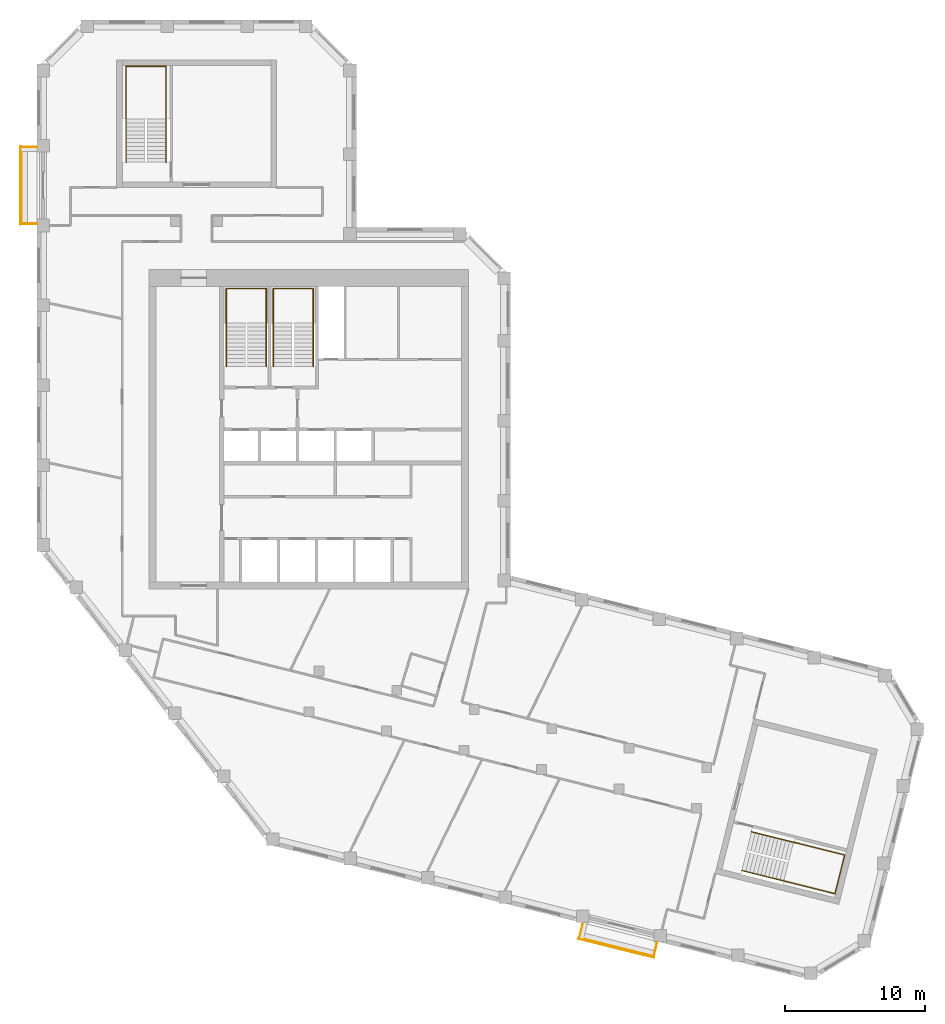
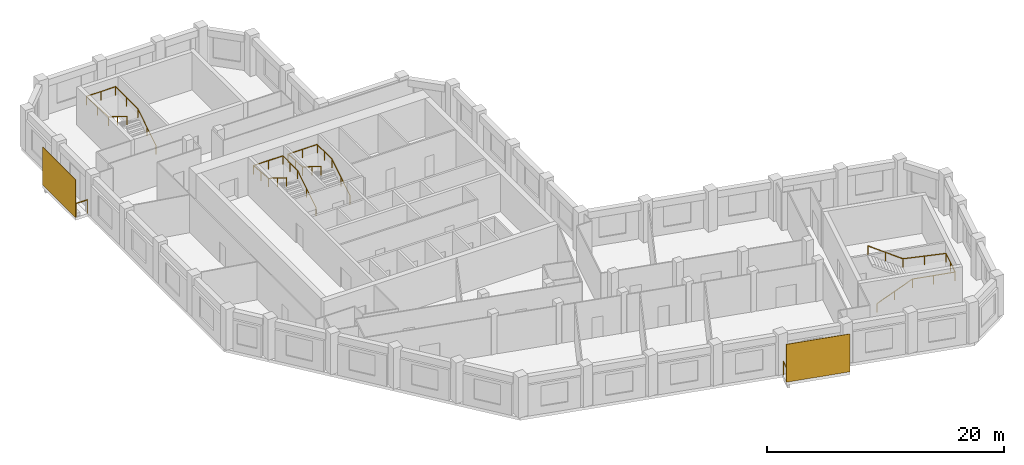
# One storey, part 8 of 8: 6 railings, 2 shading devices.
"""IFC4 building model written with IfcOpenShell, lengths in metres."""

import ifcopenshell
import ifcopenshell.guid

model = None  # the IFC model being written
_history = None  # IfcOwnerHistory: only IFC2X3 demands one
_inside = {}  # id of a spatial element -> (the spatial element, [elements in it])
_under = {}  # id of a project, library or spatial element -> (it, [spatial elements below it])
_declared = {}  # id of a project -> (the project, [libraries it declares])
_typed = {}  # id of a type object -> (the type object, [elements of that type])
_made_of = {}  # id of a material, layer set ... -> (it, [elements and type objects made of it])


def new_model(schema):
    """Start an empty IFC model of exactly this schema.

    Asked for "IFC4X3", IfcOpenShell would pick the latest addendum, in which some entities
    have other attributes; the version numbers below select the first issue.
    IFC2X3 requires an IfcOwnerHistory on every rooted entity: one is made here for all.
    """
    global model, _history
    if schema == "IFC4X3":
        model = ifcopenshell.file(schema_version=(4, 3, 0, 0))
    else:
        model = ifcopenshell.file(schema=schema)
    _inside.clear()
    _under.clear()
    _declared.clear()
    _typed.clear()
    _made_of.clear()
    _history = None
    if model.schema == "IFC2X3":
        org = make("IfcOrganization", Name="unknown")
        user = make(
            "IfcPersonAndOrganization",
            ThePerson=make("IfcPerson", FamilyName="unknown"),
            TheOrganization=org,
        )
        app = make(
            "IfcApplication",
            ApplicationDeveloper=org,
            Version="unknown",
            ApplicationFullName="unknown",
            ApplicationIdentifier="unknown",
        )
        _history = make(
            "IfcOwnerHistory",
            OwningUser=user,
            OwningApplication=app,
            ChangeAction="ADDED",
            CreationDate=0,
        )
    return model


def make(cls, **values):
    """One entity of the class cls with the attributes given. An attribute that is None is left unset."""
    return model.create_entity(
        cls, **{name: value for name, value in values.items() if value is not None}
    )


def rooted(cls, **values):
    """An entity with a GlobalId (a new one), such as an element, a storey or a relation."""
    return make(cls, GlobalId=ifcopenshell.guid.new(), OwnerHistory=_history, **values)


def si_unit(unit_type, name, prefix=None):
    """IfcSIUnit, for example si_unit("LENGTHUNIT", "METRE", prefix="MILLI")."""
    return make("IfcSIUnit", UnitType=unit_type, Prefix=prefix, Name=name)


def assignment(units):
    """IfcUnitAssignment: the units of a project."""
    return None if units is None else make("IfcUnitAssignment", Units=units)


def point(xyz):
    """IfcCartesianPoint."""
    return None if xyz is None else make("IfcCartesianPoint", Coordinates=xyz)


def direction(xyz):
    """IfcDirection."""
    return None if xyz is None else make("IfcDirection", DirectionRatios=xyz)


def frame(location, z_axis=None, x_axis=None):
    """IfcAxis2Placement3D, a coordinate frame: its origin and axes. An axis left out is left unset."""
    return make(
        "IfcAxis2Placement3D",
        Location=point(location),
        Axis=direction(z_axis),
        RefDirection=direction(x_axis),
    )


def frame_2d(location, x_axis=None):
    """IfcAxis2Placement2D, a coordinate frame in the plane: its origin and x axis."""
    return make(
        "IfcAxis2Placement2D", Location=point(location), RefDirection=direction(x_axis)
    )


def origin():
    """The frame at (0, 0, 0) with its axes left unset."""
    return frame((0.0, 0.0, 0.0))


def origin_2d():
    """The frame at (0, 0) in the plane with its x axis left unset."""
    return frame_2d((0.0, 0.0))


def place(relative_to, where):
    """IfcLocalPlacement: puts the frame where relative to a parent placement (None: the world)."""
    return make(
        "IfcLocalPlacement", PlacementRelTo=relative_to, RelativePlacement=where
    )


def context(
    kind, dimensions, precision=None, world=None, true_north=None, identifier=None
):
    """IfcGeometricRepresentationContext, for example the 3D "Model" context."""
    return make(
        "IfcGeometricRepresentationContext",
        ContextIdentifier=identifier,
        ContextType=kind,
        CoordinateSpaceDimension=dimensions,
        Precision=precision,
        WorldCoordinateSystem=world,
        TrueNorth=true_north,
    )


def subcontext(parent, identifier, kind, view, scale=None):
    """IfcGeometricRepresentationSubContext, for example "Body" below "Model"."""
    return make(
        "IfcGeometricRepresentationSubContext",
        ContextIdentifier=identifier,
        ContextType=kind,
        ParentContext=parent,
        TargetScale=scale,
        TargetView=view,
    )


def project(units=None, contexts=None):
    """IfcProject with its units and contexts."""
    return rooted(
        "IfcProject",
        Name="project",
        RepresentationContexts=contexts,
        UnitsInContext=assignment(units),
    )


def spatial(cls, under=None, at=None, **own):
    """A site, building, storey or space (cls), placed at a placement, below another one or the project."""
    s = rooted(cls, ObjectPlacement=at, **own)
    if under is not None:
        _under.setdefault(under.id(), (under, []))[1].append(s)
    return s


def profile(cls, at=None, kind="AREA", **sizes):
    """A parametric profile (cls). Its sizes go by their IFC names, for example OverallWidth=200.0."""
    return make(cls, ProfileType=kind, Position=at, **sizes)


def rectangle(**sizes):
    """IfcRectangleProfileDef."""
    return profile("IfcRectangleProfileDef", **sizes)


def circle(**sizes):
    """IfcCircleProfileDef."""
    return profile("IfcCircleProfileDef", **sizes)


def extrude(swept, where, along, depth):
    """IfcExtrudedAreaSolid: the profile swept, set in the frame where, extruded along a direction by depth."""
    return make(
        "IfcExtrudedAreaSolid",
        SweptArea=swept,
        Position=where,
        ExtrudedDirection=direction(along),
        Depth=depth,
    )


def shape(context_of_items, identifier, shape_type, items):
    """IfcShapeRepresentation: the items that make up one representation, for example the "Body"."""
    return make(
        "IfcShapeRepresentation",
        ContextOfItems=context_of_items,
        RepresentationIdentifier=identifier,
        RepresentationType=shape_type,
        Items=items,
    )


def material(Name=None, Category=None):
    """IfcMaterial."""
    return make("IfcMaterial", Name=Name, Category=Category)


def layer(
    of_material, thickness, ventilated=None, Name=None, Category=None, Priority=None
):
    """IfcMaterialLayer: one layer of a wall or slab, of a material (None: an air gap)."""
    return make(
        "IfcMaterialLayer",
        Material=of_material,
        LayerThickness=thickness,
        IsVentilated=ventilated,
        Name=Name,
        Category=Category,
        Priority=Priority,
    )


def layer_set(layers, Name=None):
    """IfcMaterialLayerSet."""
    return make("IfcMaterialLayerSet", MaterialLayers=layers, LayerSetName=Name)


def made_of(thing, what):
    """Note that an element or type object is made of a material, layer set ...; save() writes the relation."""
    if what is not None:
        _made_of.setdefault(what.id(), (what, []))[1].append(thing)
    return thing


def type_object(cls, material=None, **own):
    """A type object (cls), such as IfcWallType, which elements share."""
    return made_of(rooted(cls, **own), material)


def element(
    cls,
    number,
    at=None,
    inside=None,
    cuts=None,
    type_object=None,
    material=None,
    context=None,
    identifier="Body",
    shape_type=None,
    held_by="IfcProductDefinitionShape",
    body=None,
    shapes=None,
    **own,
):
    """One element of the class cls, such as IfcWall. Its Tag is "e" and its number.

    at: its placement. inside: the storey or other place that contains it. cuts: it is an
    opening in that element (IfcRelVoidsElement). A single representation is given by context,
    identifier, shape_type and body (its items); several are given by shapes. held_by: the class
    of the entity that holds the representations. save() writes the other relations.
    """
    e = rooted(cls, Tag="e%d" % number, ObjectPlacement=at, **own)
    if body is not None:
        shapes = [shape(context, identifier, shape_type, body)]
    if shapes is not None:
        e.Representation = make(held_by, Representations=shapes)
    if inside is not None:
        _inside.setdefault(inside.id(), (inside, []))[1].append(e)
    if cuts is not None:
        rooted(
            "IfcRelVoidsElement", RelatingBuildingElement=cuts, RelatedOpeningElement=e
        )
    if type_object is not None:
        _typed.setdefault(type_object.id(), (type_object, []))[1].append(e)
    return made_of(e, material)


def aggregate(whole, parts):
    """IfcRelAggregates: a whole, such as a stair, and the parts it consists of."""
    return rooted("IfcRelAggregates", RelatingObject=whole, RelatedObjects=parts)


def save(model, path):
    """Write the relations noted so far, then the file.

    IfcRelAggregates (storeys below a building ...), IfcRelContainedInSpatialStructure (elements
    in a storey), IfcRelDefinesByType, IfcRelAssociatesMaterial and IfcRelDeclares: one each for
    every whole, place, type object, material and project.
    """
    for whole, parts in _under.values():
        aggregate(whole, parts)
    for where, things in _inside.values():
        rooted(
            "IfcRelContainedInSpatialStructure",
            RelatedElements=things,
            RelatingStructure=where,
        )
    for kind, things in _typed.values():
        rooted("IfcRelDefinesByType", RelatedObjects=things, RelatingType=kind)
    for what, things in _made_of.values():
        rooted("IfcRelAssociatesMaterial", RelatedObjects=things, RelatingMaterial=what)
    for by, libraries in _declared.values():
        rooted("IfcRelDeclares", RelatingContext=by, RelatedDefinitions=libraries)
    model.write(path)


model = new_model("IFC4")

# Units and contexts
model_context = context("Model", 3, precision=1e-05, world=origin(), true_north=direction((0.0, 1.0)))
body_context = subcontext(model_context, "Body", "Model", "MODEL_VIEW")
ifc_project = project(units=[si_unit("LENGTHUNIT", "METRE"), si_unit("AREAUNIT", "SQUARE_METRE"), si_unit("VOLUMEUNIT", "CUBIC_METRE"), si_unit("PLANEANGLEUNIT", "RADIAN"), si_unit("MASSUNIT", "GRAM", prefix="KILO")], contexts=[model_context])

# Site, building, storey
site_placement = place(None, origin())
site = spatial("IfcSite", under=ifc_project, at=site_placement, CompositionType="ELEMENT")
building_placement = place(site_placement, origin())
building = spatial("IfcBuilding", under=site, at=building_placement, Name="Meshkara Civic Tower", CompositionType="ELEMENT")
storey_placement = place(building_placement, frame((0.0, 0.0, 375.0)))
storey = spatial("IfcBuildingStorey", under=building, at=storey_placement, Name="L86", CompositionType="ELEMENT", Elevation=375.0)

# Railings
ifc_material_1 = material(Name="Steel S355", Category="steel")
railing_type_1 = type_object("IfcRailingType", Name="BALUSTRADE GUARD 1400", PredefinedType="BALUSTRADE", material=ifc_material_1)
railing_1_placement = place(storey_placement, frame((0.0, 45.635009765625, 0.0)))
element("IfcRailing", 1, at=railing_1_placement, inside=storey, type_object=railing_type_1, Name="Balcony guard", PredefinedType="BALUSTRADE", context=body_context, shape_type="SweptSolid", body=[
    extrude(circle(Radius=0.02392578125, at=origin_2d()), frame((0.0, 0.0, 1.3759765625), z_axis=(-1.0, 0.0, 0.0), x_axis=(0.0, -1.0, 0.0)), (0.0, 0.0, 1.0), 1.110107421875),
    extrude(circle(Radius=0.02392578125, at=origin_2d()), frame((-1.110107421875, 0.0, 1.3759765625), z_axis=(0.0, -1.0, 0.0), x_axis=(1.0, 0.0, 0.0)), (0.0, 0.0, 1.0), 5.4599609375),
    extrude(circle(Radius=0.02392578125, at=origin_2d()), frame((-1.110107421875, -5.4599609375, 1.3759765625), z_axis=(1.0, 0.0, 0.0), x_axis=(0.0, 1.0, 0.0)), (0.0, 0.0, 1.0), 1.110107421875),
    extrude(circle(Radius=0.02099609375, at=origin_2d()), origin(), (0.0, 0.0, 1.0), 1.351806640625),
    extrude(circle(Radius=0.02099609375, at=origin_2d()), frame((-1.110107421875, 0.0, 0.0)), (0.0, 0.0, 1.0), 1.351806640625),
    extrude(circle(Radius=0.02099609375, at=origin_2d()), frame((-1.110107421875, -1.092041015625, 0.0)), (0.0, 0.0, 1.0), 1.351806640625),
    extrude(circle(Radius=0.02099609375, at=origin_2d()), frame((-1.110107421875, -2.18408203125, 0.0)), (0.0, 0.0, 1.0), 1.351806640625),
    extrude(circle(Radius=0.02099609375, at=origin_2d()), frame((-1.110107421875, -3.27587890625, 0.0)), (0.0, 0.0, 1.0), 1.351806640625),
    extrude(circle(Radius=0.02099609375, at=origin_2d()), frame((-1.110107421875, -4.367919921875, 0.0)), (0.0, 0.0, 1.0), 1.351806640625),
    extrude(circle(Radius=0.02099609375, at=origin_2d()), frame((-1.110107421875, -5.4599609375, 0.0)), (0.0, 0.0, 1.0), 1.351806640625),
    extrude(circle(Radius=0.02099609375, at=origin_2d()), frame((0.0, -5.4599609375, 0.0)), (0.0, 0.0, 1.0), 1.351806640625),
])
railing_2_placement = place(storey_placement, frame((38.958984375, -9.81201171875, 0.0)))
element("IfcRailing", 2, at=railing_2_placement, inside=storey, type_object=railing_type_1, Name="Balcony guard", PredefinedType="BALUSTRADE", context=body_context, shape_type="SweptSolid", body=[
    extrude(circle(Radius=0.02392578125, at=origin_2d()), frame((0.0, 0.0, 1.3759765625), z_axis=(-0.242365897307, -0.970184916303, 0.0), x_axis=(0.970184916303, -0.242365897307, 0.0)), (0.0, 0.0, 1.0), 1.015380859375),
    extrude(circle(Radius=0.02392578125, at=origin_2d()), frame((-0.24609375, -0.985107421875, 1.3759765625), z_axis=(0.970334237753, -0.241767382094, 0.0), x_axis=(0.241767382094, 0.970334237753, 0.0)), (0.0, 0.0, 1.0), 5.458984375),
    extrude(circle(Radius=0.02392578125, at=origin_2d()), frame((5.051025390625, -2.304931640625, 1.3759765625), z_axis=(0.242648904851, 0.970114173164, 0.0), x_axis=(-0.970114173164, 0.242648904851, 0.0)), (0.0, 0.0, 1.0), 1.01416015625),
    extrude(circle(Radius=0.02099609375, at=origin_2d()), origin(), (0.0, 0.0, 1.0), 1.351806640625),
    extrude(circle(Radius=0.02099609375, at=origin_2d()), frame((-0.24609375, -0.985107421875, 0.0)), (0.0, 0.0, 1.0), 1.351806640625),
    extrude(circle(Radius=0.02099609375, at=origin_2d()), frame((0.813232421875, -1.2490234375, 0.0)), (0.0, 0.0, 1.0), 1.351806640625),
    extrude(circle(Radius=0.02099609375, at=origin_2d()), frame((1.872802734375, -1.512939453125, 0.0)), (0.0, 0.0, 1.0), 1.351806640625),
    extrude(circle(Radius=0.02099609375, at=origin_2d()), frame((2.93212890625, -1.777099609375, 0.0)), (0.0, 0.0, 1.0), 1.351806640625),
    extrude(circle(Radius=0.02099609375, at=origin_2d()), frame((3.99169921875, -2.041015625, 0.0)), (0.0, 0.0, 1.0), 1.351806640625),
    extrude(circle(Radius=0.02099609375, at=origin_2d()), frame((5.051025390625, -2.304931640625, 0.0)), (0.0, 0.0, 1.0), 1.351806640625),
    extrude(circle(Radius=0.02099609375, at=origin_2d()), frame((5.297119140625, -1.321044921875, 0.0)), (0.0, 0.0, 1.0), 1.351806640625),
])

# Shading devices
ifc_material_2 = material(Name="Perforated bronze anodised aluminium sheet", Category="aluminium")
ifc_layer = layer(ifc_material_2, 0.0400390625)
ifc_layer_set = layer_set([ifc_layer], Name="PERFORATED BRONZE SCREEN")
shading_device_type = type_object("IfcShadingDeviceType", Name="PERFORATED BRONZE SCREEN", PredefinedType="USERDEFINED", material=ifc_layer_set)
shading_device_1_placement = place(storey_placement, frame((-1.179931640625, 42.905029296875, 0.0), z_axis=(0.0, 0.0, 1.0), x_axis=(0.0, -1.0, 0.0)))
element("IfcShadingDevice", 3, at=shading_device_1_placement, inside=storey, type_object=shading_device_type, Name="Balcony screen", ObjectType="SCREEN", PredefinedType="USERDEFINED", context=body_context, shape_type="SweptSolid", body=[
    extrude(rectangle(XDim=5.580078125, YDim=0.0400390625, at=origin_2d()), origin(), (0.0, 0.0, 1.0), 3.89990234375),
])
shading_device_2_placement = place(storey_placement, frame((41.344970703125, -11.52490234375, 0.0), z_axis=(0.0, 0.0, 1.0), x_axis=(0.970295726276, -0.2419218956, 0.0)))
element("IfcShadingDevice", 4, at=shading_device_2_placement, inside=storey, type_object=shading_device_type, Name="Balcony screen", ObjectType="SCREEN", PredefinedType="USERDEFINED", context=body_context, shape_type="SweptSolid", body=[
    extrude(rectangle(XDim=5.5791015625, YDim=0.0400390625, at=origin_2d()), origin(), (0.0, 0.0, 1.0), 3.89990234375),
])

# Railings
ifc_material_3 = material(Name="Steel handrail", Category="steel")
railing_type_2 = type_object("IfcRailingType", Name="Stair handrail 900", PredefinedType="HANDRAIL", material=ifc_material_3)
railing_3_placement = place(storey_placement, frame((16.375, 30.0, 0.175048828125)))
element("IfcRailing", 5, at=railing_3_placement, inside=storey, type_object=railing_type_2, Name="L86 ST1 stair handrail 1", PredefinedType="HANDRAIL", context=body_context, shape_type="SweptSolid", body=[
    extrude(circle(Radius=0.02392578125, at=origin_2d()), frame((0.0, 0.0, 0.8759765625), z_axis=(0.0, 0.847998304005, 0.529998940003), x_axis=(-1.0, 0.0, 0.0)), (0.0, 0.0, 1.0), 3.632080078125),
    extrude(circle(Radius=0.02392578125, at=origin_2d()), frame((0.0, 3.080078125, 2.80078125), z_axis=(0.0, 1.0, 0.0), x_axis=(-1.0, 0.0, 0.0)), (0.0, 0.0, 1.0), 2.469970703125),
    extrude(circle(Radius=0.02392578125, at=origin_2d()), frame((0.0, 5.550048828125, 2.80078125), z_axis=(-1.0, 0.0, 0.0), x_axis=(0.0, -1.0, 0.0)), (0.0, 0.0, 1.0), 2.85009765625),
    extrude(circle(Radius=0.02392578125, at=origin_2d()), frame((-2.85009765625, 5.550048828125, 2.80078125), z_axis=(0.0, -0.997505032726, 0.070595394231), x_axis=(1.0, 0.0, 0.0)), (0.0, 0.0, 1.0), 2.47607421875),
    extrude(circle(Radius=0.02392578125, at=origin_2d()), frame((-2.85009765625, 3.080078125, 2.9755859375), z_axis=(0.0, -0.847998304005, 0.529998940003), x_axis=(1.0, 0.0, 0.0)), (0.0, 0.0, 1.0), 3.632080078125),
    extrude(circle(Radius=0.02099609375, at=origin_2d()), origin(), (0.0, 0.0, 1.0), 0.851806640625),
    extrude(circle(Radius=0.02099609375, at=origin_2d()), frame((0.0, 1.5400390625, 0.96240234375)), (0.0, 0.0, 1.0), 0.851806640625),
    extrude(circle(Radius=0.02099609375, at=origin_2d()), frame((0.0, 3.080078125, 1.925048828125)), (0.0, 0.0, 1.0), 0.851806640625),
    extrude(circle(Radius=0.02099609375, at=origin_2d()), frame((0.0, 4.31494140625, 1.925048828125)), (0.0, 0.0, 1.0), 0.851806640625),
    extrude(circle(Radius=0.02099609375, at=origin_2d()), frame((0.0, 5.550048828125, 1.925048828125)), (0.0, 0.0, 1.0), 0.851806640625),
    extrude(circle(Radius=0.02099609375, at=origin_2d()), frame((-1.425048828125, 5.550048828125, 1.925048828125)), (0.0, 0.0, 1.0), 0.851806640625),
    extrude(circle(Radius=0.02099609375, at=origin_2d()), frame((-2.85009765625, 5.550048828125, 1.925048828125)), (0.0, 0.0, 1.0), 0.851806640625),
    extrude(circle(Radius=0.02099609375, at=origin_2d()), frame((-2.85009765625, 4.31494140625, 2.012451171875)), (0.0, 0.0, 1.0), 0.851806640625),
    extrude(circle(Radius=0.02099609375, at=origin_2d()), frame((-2.85009765625, 3.080078125, 2.099853515625)), (0.0, 0.0, 1.0), 0.851806640625),
    extrude(circle(Radius=0.02099609375, at=origin_2d()), frame((-2.85009765625, 1.5400390625, 3.0625)), (0.0, 0.0, 1.0), 0.851806640625),
    extrude(circle(Radius=0.02099609375, at=origin_2d()), frame((-2.85009765625, 0.0, 4.02490234375)), (0.0, 0.0, 1.0), 0.851806640625),
])
railing_4_placement = place(storey_placement, frame((19.72509765625, 30.0, 0.175048828125)))
element("IfcRailing", 6, at=railing_4_placement, inside=storey, type_object=railing_type_2, Name="L86 ST2 stair handrail 1", PredefinedType="HANDRAIL", context=body_context, shape_type="SweptSolid", body=[
    extrude(circle(Radius=0.02392578125, at=origin_2d()), frame((0.0, 0.0, 0.8759765625), z_axis=(0.0, 0.847998304005, 0.529998940003), x_axis=(-1.0, 0.0, 0.0)), (0.0, 0.0, 1.0), 3.632080078125),
    extrude(circle(Radius=0.02392578125, at=origin_2d()), frame((0.0, 3.080078125, 2.80078125), z_axis=(0.0, 1.0, 0.0), x_axis=(-1.0, 0.0, 0.0)), (0.0, 0.0, 1.0), 2.469970703125),
    extrude(circle(Radius=0.02392578125, at=origin_2d()), frame((0.0, 5.550048828125, 2.80078125), z_axis=(-1.0, 0.0, 0.0), x_axis=(0.0, -1.0, 0.0)), (0.0, 0.0, 1.0), 2.85009765625),
    extrude(circle(Radius=0.02392578125, at=origin_2d()), frame((-2.85009765625, 5.550048828125, 2.80078125), z_axis=(0.0, -0.997505032726, 0.070595394231), x_axis=(1.0, 0.0, 0.0)), (0.0, 0.0, 1.0), 2.47607421875),
    extrude(circle(Radius=0.02392578125, at=origin_2d()), frame((-2.85009765625, 3.080078125, 2.9755859375), z_axis=(0.0, -0.847998304005, 0.529998940003), x_axis=(1.0, 0.0, 0.0)), (0.0, 0.0, 1.0), 3.632080078125),
    extrude(circle(Radius=0.02099609375, at=origin_2d()), origin(), (0.0, 0.0, 1.0), 0.851806640625),
    extrude(circle(Radius=0.02099609375, at=origin_2d()), frame((0.0, 1.5400390625, 0.96240234375)), (0.0, 0.0, 1.0), 0.851806640625),
    extrude(circle(Radius=0.02099609375, at=origin_2d()), frame((0.0, 3.080078125, 1.925048828125)), (0.0, 0.0, 1.0), 0.851806640625),
    extrude(circle(Radius=0.02099609375, at=origin_2d()), frame((0.0, 4.31494140625, 1.925048828125)), (0.0, 0.0, 1.0), 0.851806640625),
    extrude(circle(Radius=0.02099609375, at=origin_2d()), frame((0.0, 5.550048828125, 1.925048828125)), (0.0, 0.0, 1.0), 0.851806640625),
    extrude(circle(Radius=0.02099609375, at=origin_2d()), frame((-1.425048828125, 5.550048828125, 1.925048828125)), (0.0, 0.0, 1.0), 0.851806640625),
    extrude(circle(Radius=0.02099609375, at=origin_2d()), frame((-2.85009765625, 5.550048828125, 1.925048828125)), (0.0, 0.0, 1.0), 0.851806640625),
    extrude(circle(Radius=0.02099609375, at=origin_2d()), frame((-2.85009765625, 4.31494140625, 2.012451171875)), (0.0, 0.0, 1.0), 0.851806640625),
    extrude(circle(Radius=0.02099609375, at=origin_2d()), frame((-2.85009765625, 3.080078125, 2.099853515625)), (0.0, 0.0, 1.0), 0.851806640625),
    extrude(circle(Radius=0.02099609375, at=origin_2d()), frame((-2.85009765625, 1.5400390625, 3.0625)), (0.0, 0.0, 1.0), 0.851806640625),
    extrude(circle(Radius=0.02099609375, at=origin_2d()), frame((-2.85009765625, 0.0, 4.02490234375)), (0.0, 0.0, 1.0), 0.851806640625),
])
railing_5_placement = place(storey_placement, frame((9.22509765625, 44.570068359375, 0.175048828125)))
element("IfcRailing", 7, at=railing_5_placement, inside=storey, type_object=railing_type_2, Name="L86 ESA6 stair handrail 1", PredefinedType="HANDRAIL", context=body_context, shape_type="SweptSolid", body=[
    extrude(circle(Radius=0.02392578125, at=origin_2d()), frame((0.0, 0.0, 0.8759765625), z_axis=(0.0, 0.847979421464, 0.530029150871), x_axis=(-1.0, 0.0, 0.0)), (0.0, 0.0, 1.0), 3.632080078125),
    extrude(circle(Radius=0.02392578125, at=origin_2d()), frame((0.0, 3.079833984375, 2.80078125), z_axis=(0.0, 1.0, 0.0), x_axis=(-1.0, 0.0, 0.0)), (0.0, 0.0, 1.0), 3.77001953125),
    extrude(circle(Radius=0.02392578125, at=origin_2d()), frame((0.0, 6.849853515625, 2.80078125), z_axis=(-1.0, 0.0, 0.0), x_axis=(0.0, -1.0, 0.0)), (0.0, 0.0, 1.0), 2.85009765625),
    extrude(circle(Radius=0.02392578125, at=origin_2d()), frame((-2.85009765625, 6.849853515625, 2.80078125), z_axis=(0.0, -0.998926778478, 0.046317288783), x_axis=(1.0, 0.0, 0.0)), (0.0, 0.0, 1.0), 3.774169921875),
    extrude(circle(Radius=0.02392578125, at=origin_2d()), frame((-2.85009765625, 3.079833984375, 2.9755859375), z_axis=(0.0, -0.847979421464, 0.530029150871), x_axis=(1.0, 0.0, 0.0)), (0.0, 0.0, 1.0), 3.632080078125),
    extrude(circle(Radius=0.02099609375, at=origin_2d()), origin(), (0.0, 0.0, 1.0), 0.851806640625),
    extrude(circle(Radius=0.02099609375, at=origin_2d()), frame((0.0, 1.5400390625, 0.96240234375)), (0.0, 0.0, 1.0), 0.851806640625),
    extrude(circle(Radius=0.02099609375, at=origin_2d()), frame((0.0, 3.079833984375, 1.925048828125)), (0.0, 0.0, 1.0), 0.851806640625),
    extrude(circle(Radius=0.02099609375, at=origin_2d()), frame((0.0, 4.96484375, 1.925048828125)), (0.0, 0.0, 1.0), 0.851806640625),
    extrude(circle(Radius=0.02099609375, at=origin_2d()), frame((0.0, 6.849853515625, 1.925048828125)), (0.0, 0.0, 1.0), 0.851806640625),
    extrude(circle(Radius=0.02099609375, at=origin_2d()), frame((-1.425048828125, 6.849853515625, 1.925048828125)), (0.0, 0.0, 1.0), 0.851806640625),
    extrude(circle(Radius=0.02099609375, at=origin_2d()), frame((-2.85009765625, 6.849853515625, 1.925048828125)), (0.0, 0.0, 1.0), 0.851806640625),
    extrude(circle(Radius=0.02099609375, at=origin_2d()), frame((-2.85009765625, 4.96484375, 2.012451171875)), (0.0, 0.0, 1.0), 0.851806640625),
    extrude(circle(Radius=0.02099609375, at=origin_2d()), frame((-2.85009765625, 3.079833984375, 2.099853515625)), (0.0, 0.0, 1.0), 0.851806640625),
    extrude(circle(Radius=0.02099609375, at=origin_2d()), frame((-2.85009765625, 1.5400390625, 3.0625)), (0.0, 0.0, 1.0), 0.851806640625),
    extrude(circle(Radius=0.02099609375, at=origin_2d()), frame((-2.85009765625, 0.0, 4.02490234375)), (0.0, 0.0, 1.0), 0.851806640625),
])
railing_6_placement = place(storey_placement, frame((50.31884765625, -5.975341796875, 0.175048828125)))
element("IfcRailing", 8, at=railing_6_placement, inside=storey, type_object=railing_type_2, Name="L86 ESB6 stair handrail 1", PredefinedType="HANDRAIL", context=body_context, shape_type="SweptSolid", body=[
    extrude(circle(Radius=0.02392578125, at=origin_2d()), frame((0.0, 0.0, 0.8759765625), z_axis=(0.822816010835, -0.205082235851, 0.530014234575), x_axis=(0.241845469214, 0.970314778317, 0.0)), (0.0, 0.0, 1.0), 3.632080078125),
    extrude(circle(Radius=0.02392578125, at=origin_2d()), frame((2.988525390625, -0.744873046875, 2.80078125), z_axis=(0.970325068916, -0.241804178279, 0.0), x_axis=(0.241804178279, 0.970325068916, 0.0)), (0.0, 0.0, 1.0), 3.77001953125),
    extrude(circle(Radius=0.02392578125, at=origin_2d()), frame((6.646728515625, -1.656494140625, 2.80078125), z_axis=(0.24183009087, 0.970318611153, 0.0), x_axis=(-0.970318611153, 0.24183009087, 0.0)), (0.0, 0.0, 1.0), 2.849853515625),
    extrude(circle(Radius=0.02392578125, at=origin_2d()), frame((7.3359375, 1.10888671875, 2.80078125), z_axis=(-0.969268581761, 0.241605589487, 0.046315823848), x_axis=(-0.241865147941, -0.970309873294, 0.0)), (0.0, 0.0, 1.0), 3.774169921875),
    extrude(circle(Radius=0.02392578125, at=origin_2d()), frame((3.677734375, 2.020751953125, 2.9755859375), z_axis=(-0.822827351915, 0.205017843586, 0.530021539894), x_axis=(-0.241770835762, -0.970333377234, 0.0)), (0.0, 0.0, 1.0), 3.632080078125),
    extrude(circle(Radius=0.02099609375, at=origin_2d()), origin(), (0.0, 0.0, 1.0), 0.851806640625),
    extrude(circle(Radius=0.02099609375, at=origin_2d()), frame((1.494140625, -0.37255859375, 0.96240234375)), (0.0, 0.0, 1.0), 0.851806640625),
    extrude(circle(Radius=0.02099609375, at=origin_2d()), frame((2.988525390625, -0.744873046875, 1.925048828125)), (0.0, 0.0, 1.0), 0.851806640625),
    extrude(circle(Radius=0.02099609375, at=origin_2d()), frame((4.817626953125, -1.20068359375, 1.925048828125)), (0.0, 0.0, 1.0), 0.851806640625),
    extrude(circle(Radius=0.02099609375, at=origin_2d()), frame((6.646728515625, -1.656494140625, 1.925048828125)), (0.0, 0.0, 1.0), 0.851806640625),
    extrude(circle(Radius=0.02099609375, at=origin_2d()), frame((6.9912109375, -0.27392578125, 1.925048828125)), (0.0, 0.0, 1.0), 0.851806640625),
    extrude(circle(Radius=0.02099609375, at=origin_2d()), frame((7.3359375, 1.10888671875, 1.925048828125)), (0.0, 0.0, 1.0), 0.851806640625),
    extrude(circle(Radius=0.02099609375, at=origin_2d()), frame((5.5068359375, 1.56494140625, 2.012451171875)), (0.0, 0.0, 1.0), 0.851806640625),
    extrude(circle(Radius=0.02099609375, at=origin_2d()), frame((3.677734375, 2.020751953125, 2.099853515625)), (0.0, 0.0, 1.0), 0.851806640625),
    extrude(circle(Radius=0.02099609375, at=origin_2d()), frame((2.18359375, 2.39306640625, 3.0625)), (0.0, 0.0, 1.0), 0.851806640625),
    extrude(circle(Radius=0.02099609375, at=origin_2d()), frame((0.689208984375, 2.765380859375, 4.02490234375)), (0.0, 0.0, 1.0), 0.851806640625),
])

save(model, "model.ifc")
